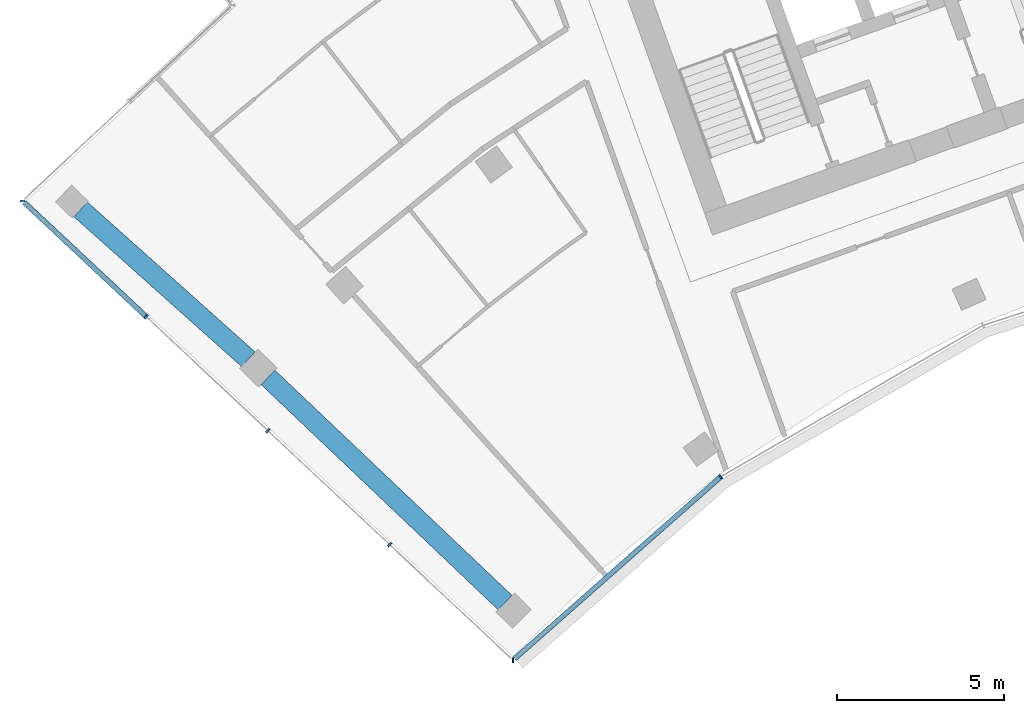
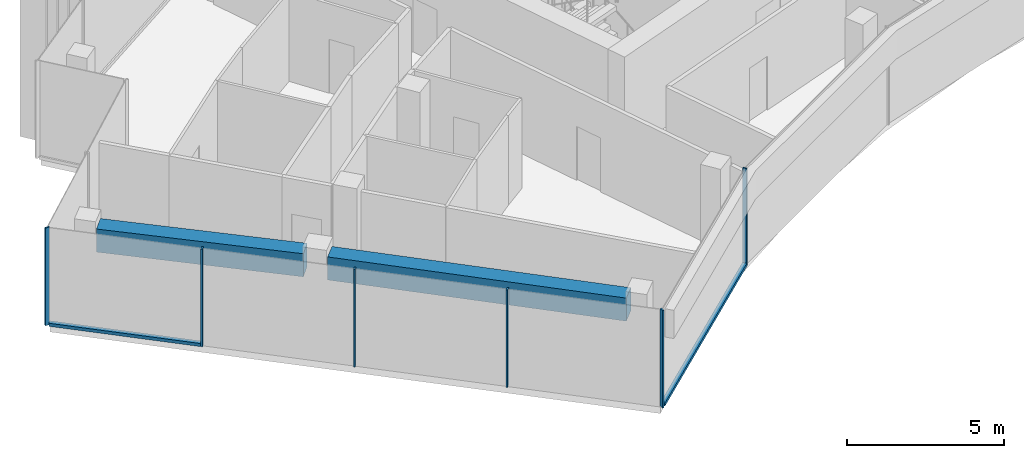
# One storey, part 2 of 19: 8 members, 2 beams, 2 elements without a shape of their own.
"""IFC4 building model written with IfcOpenShell, lengths in metres."""

from ifc_helpers import new_model, si_unit, direction, frame, origin, origin_2d, place, context, subcontext, project, spatial, rectangle, extrude, material, layer, layer_set, material_profile, profile_set, type_object, element, aggregate, save


model = new_model("IFC4")

# Units and contexts
model_context = context("Model", 3, precision=1e-05, world=origin(), true_north=direction((0.0, 1.0)))
body_context = subcontext(model_context, "Body", "Model", "MODEL_VIEW")
ifc_project = project(units=[si_unit("LENGTHUNIT", "METRE"), si_unit("AREAUNIT", "SQUARE_METRE"), si_unit("VOLUMEUNIT", "CUBIC_METRE"), si_unit("PLANEANGLEUNIT", "RADIAN"), si_unit("MASSUNIT", "GRAM", prefix="KILO")], contexts=[model_context])

# Site, building, storey
site_placement = place(None, origin())
site = spatial("IfcSite", under=ifc_project, at=site_placement, CompositionType="ELEMENT")
building_placement = place(site_placement, origin())
building = spatial("IfcBuilding", under=site, at=building_placement, Name="Stone Belt Terrace Tower", CompositionType="ELEMENT")
storey_placement = place(building_placement, frame((0.0, 0.0, 280.800048828125)))
storey = spatial("IfcBuildingStorey", under=building, at=storey_placement, Name="L68", CompositionType="ELEMENT", Elevation=280.800048828125)

# Curtain wall, members
ifc_material_1 = material(Name="Aluminium 6063-T6 anodised frame", Category="aluminium")
ifc_layer_1 = layer(ifc_material_1, 0.14990234375)
ifc_layer_set_1 = layer_set([ifc_layer_1], Name="CW-B unitised concave-face curtain wall")
curtain_wall_type_1 = type_object("IfcCurtainWallType", Name="CW-B unitised concave-face curtain wall", PredefinedType="NOTDEFINED", material=ifc_layer_set_1)
curtain_wall_1_placement = place(storey_placement, origin())
curtain_wall_1 = element("IfcCurtainWall", 1, at=curtain_wall_1_placement, inside=storey, type_object=curtain_wall_type_1, Name="CW-B concave face L68", PredefinedType="NOTDEFINED")
ifc_material_profile_1 = material_profile(ifc_material_1, rectangle(XDim=0.14990234375, YDim=0.050048828125, at=origin_2d()), Name="Aluminium 6063-T6 50x150")
ifc_profile_set_1 = profile_set([ifc_material_profile_1], Name="Aluminium 6063-T6 anodised frame")
member_type_1 = type_object("IfcMemberType", Name="CW-B mullion 50 x 150", PredefinedType="MULLION", material=ifc_profile_set_1)
member_1_placement = place(storey_placement, frame((-31.75244140625, 29.633056640625, 0.0), z_axis=(0.0, 0.0, 1.0), x_axis=(0.014681639593, 0.999892218921, 0.0)))
member_1 = element("IfcMember", 2, at=member_1_placement, type_object=member_type_1, Name="CW-B mullion 1", PredefinedType="MULLION", context=body_context, shape_type="SweptSolid", body=[
    extrude(rectangle(XDim=0.14990234375, YDim=0.050048828125, at=origin_2d()), origin(), (0.0, 0.0, 1.0), 3.800048828125),
])
member_2_placement = place(storey_placement, frame((-25.524658203125, 35.131103515625, 0.0), z_axis=(0.0, 0.0, 1.0), x_axis=(-0.583818854632, 0.811883947973, 0.0)))
member_2 = element("IfcMember", 3, at=member_2_placement, type_object=member_type_1, Name="CW-B mullion 2", PredefinedType="MULLION", context=body_context, shape_type="SweptSolid", body=[
    extrude(rectangle(XDim=0.14990234375, YDim=0.050048828125, at=origin_2d()), origin(), (0.0, 0.0, 1.0), 3.800048828125),
])
ifc_material_profile_2 = material_profile(ifc_material_1, rectangle(XDim=0.14990234375, YDim=0.1201171875, at=origin_2d()), Name="Aluminium 6063-T6 150x120")
ifc_profile_set_2 = profile_set([ifc_material_profile_2], Name="Aluminium 6063-T6 anodised frame")
member_type_2 = type_object("IfcMemberType", Name="CW-B transom 120 x 150", PredefinedType="USERDEFINED", material=ifc_profile_set_2)
member_3_placement = place(storey_placement, frame((-31.70068359375, 29.6787109375, 0.06005859375), z_axis=(0.749668527307, 0.661813492735, 0.0), x_axis=(-0.661813492735, 0.749668527307, 0.0)))
member_3 = element("IfcMember", 4, at=member_3_placement, type_object=member_type_2, Name="CW-B transom 1.1", ObjectType="TRANSOM", PredefinedType="USERDEFINED", context=body_context, shape_type="SweptSolid", body=[
    extrude(rectangle(XDim=0.14990234375, YDim=0.1201171875, at=origin_2d()), origin(), (0.0, 0.0, 1.0), 8.2060546875),
])
aggregate(curtain_wall_1, [member_1, member_2, member_3])

ifc_layer_2 = layer(ifc_material_1, 0.14990234375)
ifc_layer_set_2 = layer_set([ifc_layer_2], Name="CW-C stick curtain wall, horn ends and notches")
curtain_wall_type_2 = type_object("IfcCurtainWallType", Name="CW-C stick curtain wall, horn ends and notches", PredefinedType="NOTDEFINED", material=ifc_layer_set_2)
curtain_wall_2_placement = place(storey_placement, origin())
curtain_wall_2 = element("IfcCurtainWall", 5, at=curtain_wall_2_placement, inside=storey, type_object=curtain_wall_type_2, Name="CW-C end face L68", PredefinedType="NOTDEFINED")
ifc_material_profile_3 = material_profile(ifc_material_1, rectangle(XDim=0.14990234375, YDim=0.06005859375, at=origin_2d()), Name="Aluminium 6063-T6 60x150")
ifc_profile_set_3 = profile_set([ifc_material_profile_3], Name="Aluminium 6063-T6 anodised frame")
member_type_3 = type_object("IfcMemberType", Name="CW-C mullion 60 x 150", PredefinedType="MULLION", material=ifc_profile_set_3)
member_4_placement = place(storey_placement, frame((-46.458740234375, 43.405517578125, 0.0), z_axis=(0.0, 0.0, 1.0), x_axis=(0.999999447771, -0.00105093149, 0.0)))
member_4 = element("IfcMember", 6, at=member_4_placement, type_object=member_type_3, Name="CW-C mullion 1", PredefinedType="MULLION", context=body_context, shape_type="SweptSolid", body=[
    extrude(rectangle(XDim=0.14990234375, YDim=0.06005859375, at=origin_2d()), origin(), (0.0, 0.0, 1.0), 3.800048828125),
])
member_5_placement = place(storey_placement, frame((-42.750732421875, 39.932861328125, 0.0), z_axis=(0.0, 0.0, 1.0), x_axis=(0.683549434973, 0.729904219708, 0.0)))
member_5 = element("IfcMember", 7, at=member_5_placement, type_object=member_type_3, Name="CW-C mullion 2", PredefinedType="MULLION", context=body_context, shape_type="SweptSolid", body=[
    extrude(rectangle(XDim=0.14990234375, YDim=0.06005859375, at=origin_2d()), origin(), (0.0, 0.0, 1.0), 3.800048828125),
])
member_6_placement = place(storey_placement, frame((-39.10107421875, 36.51513671875, 0.0), z_axis=(0.0, 0.0, 1.0), x_axis=(0.683549434973, 0.729904219708, 0.0)))
member_6 = element("IfcMember", 8, at=member_6_placement, type_object=member_type_3, Name="CW-C mullion 3", PredefinedType="MULLION", context=body_context, shape_type="SweptSolid", body=[
    extrude(rectangle(XDim=0.14990234375, YDim=0.06005859375, at=origin_2d()), origin(), (0.0, 0.0, 1.0), 3.800048828125),
])
member_7_placement = place(storey_placement, frame((-35.45166015625, 33.097412109375, 0.0), z_axis=(0.0, 0.0, 1.0), x_axis=(0.683549434973, 0.729904219708, 0.0)))
member_7 = element("IfcMember", 9, at=member_7_placement, type_object=member_type_3, Name="CW-C mullion 4", PredefinedType="MULLION", context=body_context, shape_type="SweptSolid", body=[
    extrude(rectangle(XDim=0.14990234375, YDim=0.06005859375, at=origin_2d()), origin(), (0.0, 0.0, 1.0), 3.800048828125),
])
ifc_material_profile_4 = material_profile(ifc_material_1, rectangle(XDim=0.14990234375, YDim=0.1201171875, at=origin_2d()), Name="Aluminium 6063-T6 150x120")
ifc_profile_set_4 = profile_set([ifc_material_profile_4], Name="Aluminium 6063-T6 anodised frame")
member_type_4 = type_object("IfcMemberType", Name="CW-C transom 120 x 150", PredefinedType="USERDEFINED", material=ifc_profile_set_4)
member_8_placement = place(storey_placement, frame((-46.40380859375, 43.35400390625, 0.06005859375), z_axis=(0.729913558916, -0.683539462292, 0.0), x_axis=(0.683539462292, 0.729913558916, 0.0)))
member_8 = element("IfcMember", 10, at=member_8_placement, type_object=member_type_4, Name="CW-C transom 1.1", ObjectType="TRANSOM", PredefinedType="USERDEFINED", context=body_context, shape_type="SweptSolid", body=[
    extrude(rectangle(XDim=0.14990234375, YDim=0.1201171875, at=origin_2d()), origin(), (0.0, 0.0, 1.0), 4.97509765625),
])
aggregate(curtain_wall_2, [member_4, member_5, member_6, member_7, member_8])

# Beams
ifc_material_2 = material(Name="Concrete B60", Category="concrete")
ifc_material_profile_5 = material_profile(ifc_material_2, rectangle(XDim=0.60009765625, YDim=0.89990234375, at=origin_2d()), Name="RC 600x900")
ifc_profile_set_5 = profile_set([ifc_material_profile_5], Name="Concrete B60")
beam_type = type_object("IfcBeamType", Name="Edge beam RC 600x900 B60", PredefinedType="SPANDREL", material=ifc_profile_set_5)
beam_1_placement = place(storey_placement, frame((-31.98876953125, 31.35791015625, 3.030029296875), z_axis=(-0.72502367576, 0.688723942946, 0.0), x_axis=(-0.688723942946, -0.72502367576, 0.0)))
element("IfcBeam", 11, at=beam_1_placement, inside=storey, type_object=beam_type, Name="Edge beam L68 A P to Q", PredefinedType="SPANDREL", context=body_context, shape_type="SweptSolid", body=[
    extrude(rectangle(XDim=0.60009765625, YDim=0.89990234375, at=origin_2d()), origin(), (0.0, 0.0, 1.0), 9.80615234375),
])
beam_2_placement = place(storey_placement, frame((-39.68701171875, 38.65380859375, 3.030029296875), z_axis=(-0.745651125692, 0.666336550666, 0.0), x_axis=(-0.666336550666, -0.745651125692, 0.0)))
element("IfcBeam", 12, at=beam_2_placement, inside=storey, type_object=beam_type, Name="Edge beam L68 A Q to R", PredefinedType="SPANDREL", context=body_context, shape_type="SweptSolid", body=[
    extrude(rectangle(XDim=0.60009765625, YDim=0.89990234375, at=origin_2d()), origin(), (0.0, 0.0, 1.0), 6.744140625),
])

save(model, "model.ifc")
